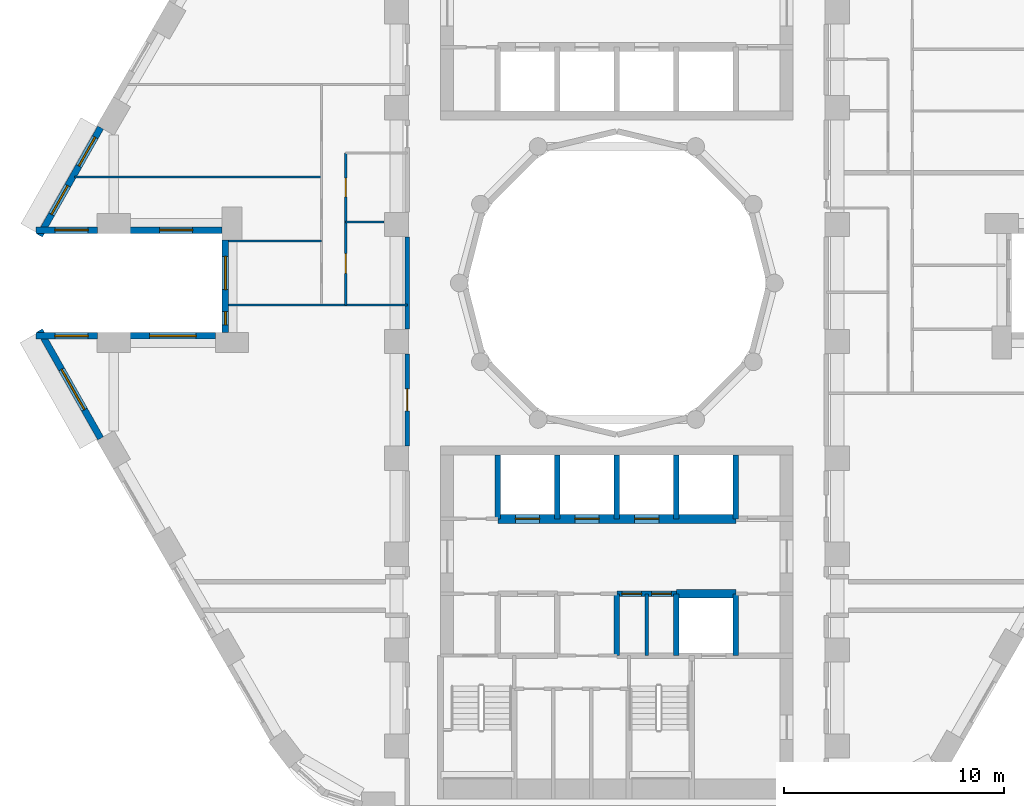
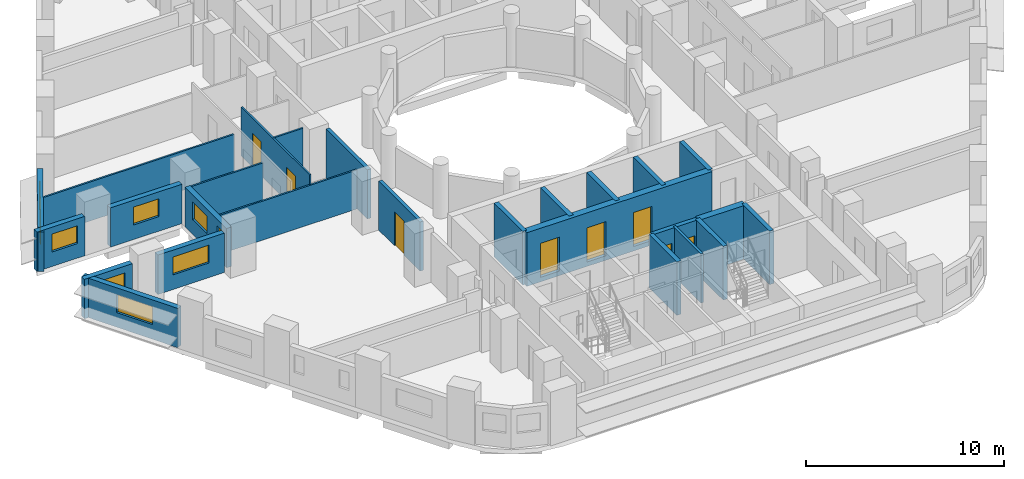
# One storey, part 4 of 13: 26 walls, 9 windows, 8 doors, 17 openings.
"""IFC4 building model written with IfcOpenShell, lengths in metres."""

from ifc_helpers import new_model, si_unit, direction, frame, frame_2d, origin, place, context, subcontext, project, spatial, rectangle, extrude, material, layer, layer_set, type_object, element, fill, save


model = new_model("IFC4")

# Units and contexts
model_context = context("Model", 3, precision=1e-05, world=origin(), true_north=direction((0.0, 1.0)))
body_context = subcontext(model_context, "Body", "Model", "MODEL_VIEW")
ifc_project = project(units=[si_unit("LENGTHUNIT", "METRE"), si_unit("AREAUNIT", "SQUARE_METRE"), si_unit("VOLUMEUNIT", "CUBIC_METRE"), si_unit("PLANEANGLEUNIT", "RADIAN"), si_unit("MASSUNIT", "GRAM", prefix="KILO")], contexts=[model_context])

# Site, building, storey
site_placement = place(None, origin())
site = spatial("IfcSite", under=ifc_project, at=site_placement, CompositionType="ELEMENT")
building_placement = place(site_placement, origin())
building = spatial("IfcBuilding", under=site, at=building_placement, Name="Nakaniwa Court", CompositionType="ELEMENT")
storey_placement = place(building_placement, frame((0.0, 0.0, 61.199951171875)))
storey = spatial("IfcBuildingStorey", under=building, at=storey_placement, Name="L16", CompositionType="ELEMENT", Elevation=61.199951171875)

# Wall, opening, door
ifc_material_1 = material(Name="Acoustic double stud partition")
ifc_layer_1 = layer(ifc_material_1, 0.199951171875)
ifc_layer_set_1 = layer_set([ifc_layer_1], Name="Acoustic double stud partition")
wall_type_1 = type_object("IfcWallType", Name="Acoustic double stud partition 200", PredefinedType="PARTITIONING", material=ifc_layer_set_1)
wall_1_placement = place(storey_placement, frame((70.5, 72.616943359375, 0.0), z_axis=(0.0, 0.0, 1.0), x_axis=(0.0, 1.0, 0.0)))
wall_1 = element("IfcWall", 1, at=wall_1_placement, inside=storey, type_object=wall_type_1, Name="Partition PW-105", PredefinedType="PARTITIONING", context=body_context, shape_type="SweptSolid", body=[
    extrude(rectangle(XDim=4.166015625, YDim=0.199951171875, at=frame_2d((2.0830078125, 0.0))), origin(), (0.0, 0.0, 1.0), 3.025146484375),
])
opening_1_placement = place(wall_1_placement, frame((1.5830078125, 0.0, 0.0)))
opening_1 = element("IfcOpeningElement", 2, at=opening_1_placement, cuts=wall_1, Name="Opening D-02-05", PredefinedType="OPENING", context=body_context, shape_type="SweptSolid", body=[
    extrude(rectangle(XDim=1.0, YDim=2.10009765625, at=frame_2d((0.5, 1.050048828125))), frame((0.0, 0.10986328125, 0.0), z_axis=(0.0, -1.0, 0.0), x_axis=(1.0, 0.0, 0.0)), (0.0, 0.0, 1.0), 0.219970703125),
])
ifc_material_2 = material(Name="Solid core timber door set, black veneer", Category="wood")
door_type_1 = type_object("IfcDoorType", Name="Internal door 1000", OperationType="NOTDEFINED", PredefinedType="DOOR", material=ifc_material_2)
door_1_placement = place(opening_1_placement, origin())
door_1 = element("IfcDoor", 3, at=door_1_placement, inside=storey, type_object=door_type_1, Name="Door D-02-05 L16-045", OperationType="SINGLE_SWING_RIGHT", OverallHeight=2.10009765625, OverallWidth=1.0, PredefinedType="DOOR", context=body_context, shape_type="SweptSolid", body=[
    extrude(rectangle(XDim=1.0, YDim=2.10009765625, at=frame_2d((0.5, 1.050048828125))), frame((0.0, 0.02490234375, 0.0), z_axis=(0.0, -1.0, 0.0), x_axis=(1.0, 0.0, 0.0)), (0.0, 0.0, 1.0), 0.050048828125),
])
fill(opening_1, door_1)

# Wall
wall_2_placement = place(storey_placement, frame((70.5, 77.9169921875, 0.0), z_axis=(0.0, 0.0, 1.0), x_axis=(0.0, 1.0, 0.0)))
element("IfcWall", 4, at=wall_2_placement, inside=storey, type_object=wall_type_1, Name="Partition PW-106", PredefinedType="PARTITIONING", context=body_context, shape_type="SweptSolid", body=[
    extrude(rectangle(XDim=4.166015625, YDim=0.199951171875, at=frame_2d((2.0830078125, 0.0))), origin(), (0.0, 0.0, 1.0), 3.025146484375),
])

# Wall, openings, windows
ifc_material_3 = material(Name="Charcoal ceramic cladding")
ifc_layer_2 = layer(ifc_material_3, 0.02, Name="Ceramic cladding")
ifc_material_4 = material(Name="Ventilated air cavity")
ifc_layer_3 = layer(ifc_material_4, 0.04, ventilated=True, Name="Ventilated cavity")
ifc_material_5 = material(Name="Mineral wool insulation")
ifc_layer_4 = layer(ifc_material_5, 0.1, Name="Insulation")
ifc_material_6 = material(Name="Cement bonded sheathing board")
ifc_layer_5 = layer(ifc_material_6, 0.012, Name="Sheathing")
ifc_material_7 = material(Name="Cold-formed galvanised stud frame with mineral wool infill")
ifc_layer_6 = layer(ifc_material_7, 0.1, Name="Stud frame")
ifc_material_8 = material(Name="Fire-rated gypsum plasterboard lining")
ifc_layer_7 = layer(ifc_material_8, 0.028, Name="Lining")
ifc_layer_set_2 = layer_set([ifc_layer_2, ifc_layer_3, ifc_layer_4, ifc_layer_5, ifc_layer_6, ifc_layer_7], Name="Charcoal ceramic faced external wall system")
wall_type_2 = type_object("IfcWallType", Name="Black ceramic faced external wall 300", PredefinedType="SOLIDWALL", material=ifc_layer_set_2)
wall_3_placement = place(storey_placement, frame((56.584228515625, 87.050537109375, 0.0), z_axis=(0.0, 0.0, 1.0), x_axis=(-0.492363204642, -0.870389840655, 0.0)))
wall_3 = element("IfcWall", 5, at=wall_3_placement, inside=storey, type_object=wall_type_2, Name="L16 external wall 14", PredefinedType="SOLIDWALL", context=body_context, shape_type="SweptSolid", body=[
    extrude(rectangle(XDim=5.62646484375, YDim=0.300048828125, at=frame_2d((2.813232421875, 0.0))), origin(), (0.0, 0.0, 1.0), 2.425048828125),
])
opening_2_placement = place(wall_3_placement, frame((0.50390625, 0.0, 0.89990234375)))
opening_2 = element("IfcOpeningElement", 6, at=opening_2_placement, cuts=wall_3, Name="Opening W5.14", PredefinedType="OPENING", context=body_context, shape_type="SweptSolid", body=[
    extrude(rectangle(XDim=1.5, YDim=1.10009765625, at=frame_2d((0.75, 0.550048828125))), frame((0.0, 0.159912109375, 0.0), z_axis=(0.0, -1.0, 0.0), x_axis=(1.0, 0.0, 0.0)), (0.0, 0.0, 1.0), 0.320068359375),
])
opening_3_placement = place(wall_3_placement, frame((3.0283203125, 0.0, 0.89990234375)))
opening_3 = element("IfcOpeningElement", 7, at=opening_3_placement, cuts=wall_3, Name="Opening W5.15", PredefinedType="OPENING", context=body_context, shape_type="SweptSolid", body=[
    extrude(rectangle(XDim=1.5, YDim=1.10009765625, at=frame_2d((0.75, 0.550048828125))), frame((0.0, 0.159912109375, 0.0), z_axis=(0.0, -1.0, 0.0), x_axis=(1.0, 0.0, 0.0)), (0.0, 0.0, 1.0), 0.320068359375),
])
ifc_material_9 = material(Name="Black anodised aluminium frame with dark low-E laminated double glazing", Category="aluminium")
window_type_1 = type_object("IfcWindowType", Name="Dark glass window 1500x1100 sill 900", PartitioningType="SINGLE_PANEL", PredefinedType="WINDOW", material=ifc_material_9)
window_1_placement = place(opening_2_placement, origin())
window_1 = element("IfcWindow", 8, at=window_1_placement, inside=storey, type_object=window_type_1, Name="L16 living window 14-0", OverallHeight=1.10009765625, OverallWidth=1.5, PartitioningType="SINGLE_PANEL", PredefinedType="WINDOW", context=body_context, shape_type="SweptSolid", body=[
    extrude(rectangle(XDim=1.5, YDim=1.10009765625, at=frame_2d((0.75, 0.550048828125))), frame((0.0, 0.030029296875, 0.0), z_axis=(0.0, -1.0, 0.0), x_axis=(1.0, 0.0, 0.0)), (0.0, 0.0, 1.0), 0.06005859375),
])
fill(opening_2, window_1)
window_2_placement = place(opening_3_placement, origin())
window_2 = element("IfcWindow", 9, at=window_2_placement, inside=storey, type_object=window_type_1, Name="L16 bedroom window 14-1", OverallHeight=1.10009765625, OverallWidth=1.5, PartitioningType="SINGLE_PANEL", PredefinedType="WINDOW", context=body_context, shape_type="SweptSolid", body=[
    extrude(rectangle(XDim=1.5, YDim=1.10009765625, at=frame_2d((0.75, 0.550048828125))), frame((0.0, 0.030029296875, 0.0), z_axis=(0.0, -1.0, 0.0), x_axis=(1.0, 0.0, 0.0)), (0.0, 0.0, 1.0), 0.06005859375),
])
fill(opening_3, window_2)

# Wall, opening, window
wall_4_placement = place(storey_placement, frame((53.643310546875, 82.39990234375, 0.0), z_axis=(0.0, 0.0, 1.0), x_axis=(1.0, 0.0, 0.0)))
wall_4 = element("IfcWall", 10, at=wall_4_placement, inside=storey, type_object=wall_type_2, Name="L16 external wall 15", PredefinedType="SOLIDWALL", context=body_context, shape_type="SweptSolid", body=[
    extrude(rectangle(XDim=2.787841796875, YDim=0.300048828125, at=frame_2d((1.39404296875, 0.0))), origin(), (0.0, 0.0, 1.0), 2.425048828125),
])
opening_4_placement = place(wall_4_placement, frame((0.868896484375, 0.0, 0.89990234375)))
opening_4 = element("IfcOpeningElement", 11, at=opening_4_placement, cuts=wall_4, Name="Opening W5.16", PredefinedType="OPENING", context=body_context, shape_type="SweptSolid", body=[
    extrude(rectangle(XDim=1.5, YDim=1.10009765625, at=frame_2d((0.75, 0.550048828125))), frame((0.0, 0.159912109375, 0.0), z_axis=(0.0, -1.0, 0.0), x_axis=(1.0, 0.0, 0.0)), (0.0, 0.0, 1.0), 0.320068359375),
])
window_3_placement = place(opening_4_placement, origin())
window_3 = element("IfcWindow", 12, at=window_3_placement, inside=storey, type_object=window_type_1, Name="L16 bedroom window 15-0", OverallHeight=1.10009765625, OverallWidth=1.5, PartitioningType="SINGLE_PANEL", PredefinedType="WINDOW", context=body_context, shape_type="SweptSolid", body=[
    extrude(rectangle(XDim=1.5, YDim=1.10009765625, at=frame_2d((0.75, 0.550048828125))), frame((0.0, 0.030029296875, 0.0), z_axis=(0.0, -1.0, 0.0), x_axis=(1.0, 0.0, 0.0)), (0.0, 0.0, 1.0), 0.06005859375),
])
fill(opening_4, window_3)

wall_5_placement = place(storey_placement, frame((57.923095703125, 82.39990234375, 0.0), z_axis=(0.0, 0.0, 1.0), x_axis=(1.0, 0.0, 0.0)))
wall_5 = element("IfcWall", 13, at=wall_5_placement, inside=storey, type_object=wall_type_2, Name="L16 external wall 16", PredefinedType="SOLIDWALL", context=body_context, shape_type="SweptSolid", body=[
    extrude(rectangle(XDim=4.172607421875, YDim=0.300048828125, at=frame_2d((2.08642578125, 0.0))), origin(), (0.0, 0.0, 1.0), 2.425048828125),
])
opening_5_placement = place(wall_5_placement, frame((1.336181640625, 0.0, 0.89990234375)))
opening_5 = element("IfcOpeningElement", 14, at=opening_5_placement, cuts=wall_5, Name="Opening W5.17", PredefinedType="OPENING", context=body_context, shape_type="SweptSolid", body=[
    extrude(rectangle(XDim=1.5, YDim=1.10009765625, at=frame_2d((0.75, 0.550048828125))), frame((0.0, 0.159912109375, 0.0), z_axis=(0.0, -1.0, 0.0), x_axis=(1.0, 0.0, 0.0)), (0.0, 0.0, 1.0), 0.320068359375),
])
window_4_placement = place(opening_5_placement, origin())
window_4 = element("IfcWindow", 15, at=window_4_placement, inside=storey, type_object=window_type_1, Name="L16 bedroom window 16-0", OverallHeight=1.10009765625, OverallWidth=1.5, PartitioningType="SINGLE_PANEL", PredefinedType="WINDOW", context=body_context, shape_type="SweptSolid", body=[
    extrude(rectangle(XDim=1.5, YDim=1.10009765625, at=frame_2d((0.75, 0.550048828125))), frame((0.0, 0.030029296875, 0.0), z_axis=(0.0, -1.0, 0.0), x_axis=(1.0, 0.0, 0.0)), (0.0, 0.0, 1.0), 0.06005859375),
])
fill(opening_5, window_4)

# Wall, openings, windows
wall_6_placement = place(storey_placement, frame((62.24169921875, 81.9541015625, 0.0), z_axis=(0.0, 0.0, 1.0), x_axis=(0.0, -1.0, 0.0)))
wall_6 = element("IfcWall", 16, at=wall_6_placement, inside=storey, type_object=wall_type_2, Name="L16 external wall 17", PredefinedType="SOLIDWALL", context=body_context, shape_type="SweptSolid", body=[
    extrude(rectangle(XDim=4.2080078125, YDim=0.300048828125, at=frame_2d((2.10400390625, 0.0))), origin(), (0.0, 0.0, 1.0), 2.425048828125),
])
opening_6_placement = place(wall_6_placement, frame((0.75244140625, 0.0, 0.89990234375)))
opening_6 = element("IfcOpeningElement", 17, at=opening_6_placement, cuts=wall_6, Name="Opening W5.18", PredefinedType="OPENING", context=body_context, shape_type="SweptSolid", body=[
    extrude(rectangle(XDim=1.5, YDim=1.10009765625, at=frame_2d((0.75, 0.550048828125))), frame((0.0, 0.159912109375, 0.0), z_axis=(0.0, -1.0, 0.0), x_axis=(1.0, 0.0, 0.0)), (0.0, 0.0, 1.0), 0.320068359375),
])
opening_7_placement = place(wall_6_placement, frame((3.256103515625, 0.0, 0.89990234375)))
opening_7 = element("IfcOpeningElement", 18, at=opening_7_placement, cuts=wall_6, Name="Opening W8.19", PredefinedType="OPENING", context=body_context, shape_type="SweptSolid", body=[
    extrude(rectangle(XDim=0.60009765625, YDim=1.10009765625, at=frame_2d((0.300048828125, 0.550048828125))), frame((0.0, 0.159912109375, 0.0), z_axis=(0.0, -1.0, 0.0), x_axis=(1.0, 0.0, 0.0)), (0.0, 0.0, 1.0), 0.320068359375),
])
window_5_placement = place(opening_6_placement, origin())
window_5 = element("IfcWindow", 19, at=window_5_placement, inside=storey, type_object=window_type_1, Name="L16 bedroom window 17-0", OverallHeight=1.10009765625, OverallWidth=1.5, PartitioningType="SINGLE_PANEL", PredefinedType="WINDOW", context=body_context, shape_type="SweptSolid", body=[
    extrude(rectangle(XDim=1.5, YDim=1.10009765625, at=frame_2d((0.75, 0.550048828125))), frame((0.0, 0.030029296875, 0.0), z_axis=(0.0, -1.0, 0.0), x_axis=(1.0, 0.0, 0.0)), (0.0, 0.0, 1.0), 0.06005859375),
])
fill(opening_6, window_5)
window_type_2 = type_object("IfcWindowType", Name="Dark glass window 600x1100 sill 900", PartitioningType="SINGLE_PANEL", PredefinedType="WINDOW", material=ifc_material_9)
window_6_placement = place(opening_7_placement, origin())
window_6 = element("IfcWindow", 20, at=window_6_placement, inside=storey, type_object=window_type_2, Name="L16 habitable room window 17-1", OverallHeight=1.10009765625, OverallWidth=0.60009765625, PartitioningType="SINGLE_PANEL", PredefinedType="WINDOW", context=body_context, shape_type="SweptSolid", body=[
    extrude(rectangle(XDim=0.60009765625, YDim=1.10009765625, at=frame_2d((0.300048828125, 0.550048828125))), frame((0.0, 0.030029296875, 0.0), z_axis=(0.0, -1.0, 0.0), x_axis=(1.0, 0.0, 0.0)), (0.0, 0.0, 1.0), 0.06005859375),
])
fill(opening_7, window_6)

# Wall, opening, window
wall_7_placement = place(storey_placement, frame((61.795654296875, 77.60009765625, 0.0), z_axis=(0.0, 0.0, 1.0), x_axis=(-1.0, 0.0, 0.0)))
wall_7 = element("IfcWall", 21, at=wall_7_placement, inside=storey, type_object=wall_type_2, Name="L16 external wall 18", PredefinedType="SOLIDWALL", context=body_context, shape_type="SweptSolid", body=[
    extrude(rectangle(XDim=3.87255859375, YDim=0.300048828125, at=frame_2d((1.936279296875, 0.0))), origin(), (0.0, 0.0, 1.0), 2.425048828125),
])
opening_8_placement = place(wall_7_placement, frame((0.88623046875, 0.0, 0.89990234375)))
opening_8 = element("IfcOpeningElement", 22, at=opening_8_placement, cuts=wall_7, Name="Opening W7.20", PredefinedType="OPENING", context=body_context, shape_type="SweptSolid", body=[
    extrude(rectangle(XDim=2.10009765625, YDim=1.10009765625, at=frame_2d((1.050048828125, 0.550048828125))), frame((0.0, 0.159912109375, 0.0), z_axis=(0.0, -1.0, 0.0), x_axis=(1.0, 0.0, 0.0)), (0.0, 0.0, 1.0), 0.320068359375),
])
window_type_3 = type_object("IfcWindowType", Name="Dark glass window 2100x1100 sill 900", PartitioningType="SINGLE_PANEL", PredefinedType="WINDOW", material=ifc_material_9)
window_7_placement = place(opening_8_placement, origin())
window_7 = element("IfcWindow", 23, at=window_7_placement, inside=storey, type_object=window_type_3, Name="L16 habitable room window 18-0", OverallHeight=1.10009765625, OverallWidth=2.10009765625, PartitioningType="SINGLE_PANEL", PredefinedType="WINDOW", context=body_context, shape_type="SweptSolid", body=[
    extrude(rectangle(XDim=2.10009765625, YDim=1.10009765625, at=frame_2d((1.050048828125, 0.550048828125))), frame((0.0, 0.030029296875, 0.0), z_axis=(0.0, -1.0, 0.0), x_axis=(1.0, 0.0, 0.0)), (0.0, 0.0, 1.0), 0.06005859375),
])
fill(opening_8, window_7)

wall_8_placement = place(storey_placement, frame((56.43115234375, 77.60009765625, 0.0), z_axis=(0.0, 0.0, 1.0), x_axis=(-1.0, 0.0, 0.0)))
wall_8 = element("IfcWall", 24, at=wall_8_placement, inside=storey, type_object=wall_type_2, Name="L16 external wall 19", PredefinedType="SOLIDWALL", context=body_context, shape_type="SweptSolid", body=[
    extrude(rectangle(XDim=2.787841796875, YDim=0.300048828125, at=frame_2d((1.39404296875, 0.0))), origin(), (0.0, 0.0, 1.0), 2.425048828125),
])
opening_9_placement = place(wall_8_placement, frame((0.4189453125, 0.0, 0.89990234375)))
opening_9 = element("IfcOpeningElement", 25, at=opening_9_placement, cuts=wall_8, Name="Opening W5.21", PredefinedType="OPENING", context=body_context, shape_type="SweptSolid", body=[
    extrude(rectangle(XDim=1.5, YDim=1.10009765625, at=frame_2d((0.75, 0.550048828125))), frame((0.0, 0.159912109375, 0.0), z_axis=(0.0, -1.0, 0.0), x_axis=(1.0, 0.0, 0.0)), (0.0, 0.0, 1.0), 0.320068359375),
])
window_8_placement = place(opening_9_placement, origin())
window_8 = element("IfcWindow", 26, at=window_8_placement, inside=storey, type_object=window_type_1, Name="L16 habitable room window 19-0", OverallHeight=1.10009765625, OverallWidth=1.5, PartitioningType="SINGLE_PANEL", PredefinedType="WINDOW", context=body_context, shape_type="SweptSolid", body=[
    extrude(rectangle(XDim=1.5, YDim=1.10009765625, at=frame_2d((0.75, 0.550048828125))), frame((0.0, 0.030029296875, 0.0), z_axis=(0.0, -1.0, 0.0), x_axis=(1.0, 0.0, 0.0)), (0.0, 0.0, 1.0), 0.06005859375),
])
fill(opening_9, window_8)

wall_9_placement = place(storey_placement, frame((53.81396484375, 77.8466796875, 0.0), z_axis=(0.0, 0.0, 1.0), x_axis=(0.492363204642, -0.870389840655, 0.0)))
wall_9 = element("IfcWall", 27, at=wall_9_placement, inside=storey, type_object=wall_type_2, Name="L16 external wall 20", PredefinedType="SOLIDWALL", context=body_context, shape_type="SweptSolid", body=[
    extrude(rectangle(XDim=5.62646484375, YDim=0.300048828125, at=frame_2d((2.813232421875, 0.0))), origin(), (0.0, 0.0, 1.0), 2.425048828125),
])
opening_10_placement = place(wall_9_placement, frame((2.0263671875, 0.0, 0.89990234375)))
opening_10 = element("IfcOpeningElement", 28, at=opening_10_placement, cuts=wall_9, Name="Opening W7.22", PredefinedType="OPENING", context=body_context, shape_type="SweptSolid", body=[
    extrude(rectangle(XDim=2.10009765625, YDim=1.10009765625, at=frame_2d((1.050048828125, 0.550048828125))), frame((0.0, 0.159912109375, 0.0), z_axis=(0.0, -1.0, 0.0), x_axis=(1.0, 0.0, 0.0)), (0.0, 0.0, 1.0), 0.320068359375),
])
window_9_placement = place(opening_10_placement, origin())
window_9 = element("IfcWindow", 29, at=window_9_placement, inside=storey, type_object=window_type_3, Name="L16 habitable room window 20-0", OverallHeight=1.10009765625, OverallWidth=2.10009765625, PartitioningType="SINGLE_PANEL", PredefinedType="WINDOW", context=body_context, shape_type="SweptSolid", body=[
    extrude(rectangle(XDim=2.10009765625, YDim=1.10009765625, at=frame_2d((1.050048828125, 0.550048828125))), frame((0.0, 0.030029296875, 0.0), z_axis=(0.0, -1.0, 0.0), x_axis=(1.0, 0.0, 0.0)), (0.0, 0.0, 1.0), 0.06005859375),
])
fill(opening_10, window_9)

# Wall
ifc_material_10 = material(Name="Blockwork partition", Category="masonry")
ifc_layer_8 = layer(ifc_material_10, 0.14990234375)
ifc_layer_set_3 = layer_set([ifc_layer_8], Name="Blockwork partition")
wall_type_3 = type_object("IfcWallType", Name="Blockwork partition 150", PredefinedType="PARTITIONING", material=ifc_layer_set_3)
wall_10_placement = place(storey_placement, frame((81.35009765625, 63.10009765625, 0.0), z_axis=(0.0, 0.0, 1.0), x_axis=(0.0, 1.0, 0.0)))
element("IfcWall", 30, at=wall_10_placement, inside=storey, type_object=wall_type_3, Name="Partition PW-061", PredefinedType="PARTITIONING", context=body_context, shape_type="SweptSolid", body=[
    extrude(rectangle(XDim=2.7998046875, YDim=0.14990234375, at=frame_2d((1.39990234375, 0.0))), origin(), (0.0, 0.0, 1.0), 3.025146484375),
])

# Wall, openings, doors
ifc_material_11 = material(Name="Concrete C100/115", Category="concrete")
ifc_layer_9 = layer(ifc_material_11, 0.39990234375)
ifc_layer_set_4 = layer_set([ifc_layer_9], Name="Concrete C100/115")
wall_type_4 = type_object("IfcWallType", Name="Concrete core spine wall 400 C100", PredefinedType="SHEAR", material=ifc_layer_set_4)
wall_11_placement = place(storey_placement, frame((74.60009765625, 69.300048828125, -0.27490234375), z_axis=(0.0, 0.0, 1.0), x_axis=(1.0, 0.0, 0.0)))
wall_11 = element("IfcWall", 31, at=wall_11_placement, inside=storey, type_object=wall_type_4, Name="Core wall SW-42", PredefinedType="SHEAR", context=body_context, shape_type="SweptSolid", body=[
    extrude(rectangle(XDim=10.7998046875, YDim=0.39990234375, at=frame_2d((5.39990234375, 0.0))), origin(), (0.0, 0.0, 1.0), 3.300048828125),
])
opening_11_placement = place(wall_11_placement, frame((0.800048828125, 0.0, 0.27490234375)))
opening_11 = element("IfcOpeningElement", 32, at=opening_11_placement, cuts=wall_11, Name="Opening LD05", PredefinedType="OPENING", context=body_context, shape_type="SweptSolid", body=[
    extrude(rectangle(XDim=1.10009765625, YDim=2.10009765625, at=frame_2d((0.550048828125, 1.050048828125))), frame((0.0, 0.2099609375, 0.0), z_axis=(0.0, -1.0, 0.0), x_axis=(1.0, 0.0, 0.0)), (0.0, 0.0, 1.0), 0.419921875),
])
opening_12_placement = place(wall_11_placement, frame((3.5, 0.0, 0.27490234375)))
opening_12 = element("IfcOpeningElement", 33, at=opening_12_placement, cuts=wall_11, Name="Opening LD06", PredefinedType="OPENING", context=body_context, shape_type="SweptSolid", body=[
    extrude(rectangle(XDim=1.10009765625, YDim=2.10009765625, at=frame_2d((0.550048828125, 1.050048828125))), frame((0.0, 0.2099609375, 0.0), z_axis=(0.0, -1.0, 0.0), x_axis=(1.0, 0.0, 0.0)), (0.0, 0.0, 1.0), 0.419921875),
])
opening_13_placement = place(wall_11_placement, frame((6.199951171875, 0.0, 0.27490234375)))
opening_13 = element("IfcOpeningElement", 34, at=opening_13_placement, cuts=wall_11, Name="Opening LD07", PredefinedType="OPENING", context=body_context, shape_type="SweptSolid", body=[
    extrude(rectangle(XDim=1.10009765625, YDim=2.10009765625, at=frame_2d((0.550048828125, 1.050048828125))), frame((0.0, 0.2099609375, 0.0), z_axis=(0.0, -1.0, 0.0), x_axis=(1.0, 0.0, 0.0)), (0.0, 0.0, 1.0), 0.419921875),
])
ifc_material_12 = material(Name="Stainless steel sliding lift landing door", Category="steel")
door_type_2 = type_object("IfcDoorType", Name="Lift landing door 1100", OperationType="NOTDEFINED", PredefinedType="DOOR", material=ifc_material_12)
door_2_placement = place(opening_11_placement, origin())
door_2 = element("IfcDoor", 35, at=door_2_placement, inside=storey, type_object=door_type_2, Name="Lift landing door LD05 L16-005", OperationType="SLIDING_TO_LEFT", OverallHeight=2.10009765625, OverallWidth=1.10009765625, PredefinedType="DOOR", context=body_context, shape_type="SweptSolid", body=[
    extrude(rectangle(XDim=1.10009765625, YDim=2.10009765625, at=frame_2d((0.550048828125, 1.050048828125))), frame((0.0, 0.02490234375, 0.0), z_axis=(0.0, -1.0, 0.0), x_axis=(1.0, 0.0, 0.0)), (0.0, 0.0, 1.0), 0.050048828125),
])
fill(opening_11, door_2)
door_3_placement = place(opening_12_placement, origin())
door_3 = element("IfcDoor", 36, at=door_3_placement, inside=storey, type_object=door_type_2, Name="Lift landing door LD06 L16-006", OperationType="SLIDING_TO_LEFT", OverallHeight=2.10009765625, OverallWidth=1.10009765625, PredefinedType="DOOR", context=body_context, shape_type="SweptSolid", body=[
    extrude(rectangle(XDim=1.10009765625, YDim=2.10009765625, at=frame_2d((0.550048828125, 1.050048828125))), frame((0.0, 0.02490234375, 0.0), z_axis=(0.0, -1.0, 0.0), x_axis=(1.0, 0.0, 0.0)), (0.0, 0.0, 1.0), 0.050048828125),
])
fill(opening_12, door_3)
door_4_placement = place(opening_13_placement, origin())
door_4 = element("IfcDoor", 37, at=door_4_placement, inside=storey, type_object=door_type_2, Name="Lift landing door LD07 L16-007", OperationType="SLIDING_TO_LEFT", OverallHeight=2.10009765625, OverallWidth=1.10009765625, PredefinedType="DOOR", context=body_context, shape_type="SweptSolid", body=[
    extrude(rectangle(XDim=1.10009765625, YDim=2.10009765625, at=frame_2d((0.550048828125, 1.050048828125))), frame((0.0, 0.02490234375, 0.0), z_axis=(0.0, -1.0, 0.0), x_axis=(1.0, 0.0, 0.0)), (0.0, 0.0, 1.0), 0.050048828125),
])
fill(opening_13, door_4)

# Walls
wall_12_placement = place(storey_placement, frame((82.697021484375, 65.89990234375, -0.27490234375), z_axis=(0.0, 0.0, 1.0), x_axis=(1.0, 0.0, 0.0)))
element("IfcWall", 38, at=wall_12_placement, inside=storey, type_object=wall_type_4, Name="Core wall SW-56", PredefinedType="SHEAR", context=body_context, shape_type="SweptSolid", body=[
    extrude(rectangle(XDim=2.7060546875, YDim=0.39990234375, at=frame_2d((1.35302734375, 0.0))), origin(), (0.0, 0.0, 1.0), 3.300048828125),
])
ifc_layer_10 = layer(ifc_material_11, 0.25)
ifc_layer_set_5 = layer_set([ifc_layer_10], Name="Concrete C100/115")
wall_type_5 = type_object("IfcWallType", Name="Concrete shaft wall 250 C100", PredefinedType="SHEAR", material=ifc_layer_set_5)
for number, where, z_axis, x_axis, name in (
    (39, (74.60009765625, 69.300048828125, -0.27490234375), (0.0, 0.0, 1.0), (0.0, 1.0, 0.0), "Core wall SW-37"),
    (40, (77.300048828125, 69.300048828125, -0.27490234375), (0.0, 0.0, 1.0), (0.0, 1.0, 0.0), "Core wall SW-41"),
):
    element("IfcWall", number, at=place(storey_placement, frame(where, z_axis=z_axis, x_axis=x_axis)), inside=storey, type_object=wall_type_5, Name=name, PredefinedType="SHEAR", context=body_context, shape_type="SweptSolid", body=[
        extrude(rectangle(XDim=2.89990234375, YDim=0.25, at=frame_2d((1.449951171875, 0.0))), origin(), (0.0, 0.0, 1.0), 3.300048828125),
    ])
wall_13_placement = place(storey_placement, frame((80.0, 63.10009765625, -0.27490234375), z_axis=(0.0, 0.0, 1.0), x_axis=(0.0, 1.0, 0.0)))
element("IfcWall", 41, at=wall_13_placement, inside=storey, type_object=wall_type_5, Name="Core wall SW-43", PredefinedType="SHEAR", context=body_context, shape_type="SweptSolid", body=[
    extrude(rectangle(XDim=2.7998046875, YDim=0.25, at=frame_2d((1.39990234375, 0.0))), origin(), (0.0, 0.0, 1.0), 3.300048828125),
])
wall_14_placement = place(storey_placement, frame((80.0, 69.300048828125, -0.27490234375), z_axis=(0.0, 0.0, 1.0), x_axis=(0.0, 1.0, 0.0)))
element("IfcWall", 42, at=wall_14_placement, inside=storey, type_object=wall_type_5, Name="Core wall SW-44", PredefinedType="SHEAR", context=body_context, shape_type="SweptSolid", body=[
    extrude(rectangle(XDim=2.89990234375, YDim=0.25, at=frame_2d((1.449951171875, 0.0))), origin(), (0.0, 0.0, 1.0), 3.300048828125),
])
wall_15_placement = place(storey_placement, frame((82.699951171875, 63.10009765625, -0.27490234375), z_axis=(0.0, 0.0, 1.0), x_axis=(0.0, 1.0, 0.0)))
element("IfcWall", 43, at=wall_15_placement, inside=storey, type_object=wall_type_5, Name="Core wall SW-45", PredefinedType="SHEAR", context=body_context, shape_type="SweptSolid", body=[
    extrude(rectangle(XDim=2.7998046875, YDim=0.25, at=frame_2d((1.39990234375, 0.0))), origin(), (0.0, 0.0, 1.0), 3.300048828125),
])
wall_16_placement = place(storey_placement, frame((82.699951171875, 69.300048828125, -0.27490234375), z_axis=(0.0, 0.0, 1.0), x_axis=(0.0, 1.0, 0.0)))
element("IfcWall", 44, at=wall_16_placement, inside=storey, type_object=wall_type_5, Name="Core wall SW-46", PredefinedType="SHEAR", context=body_context, shape_type="SweptSolid", body=[
    extrude(rectangle(XDim=2.89990234375, YDim=0.25, at=frame_2d((1.449951171875, 0.0))), origin(), (0.0, 0.0, 1.0), 3.300048828125),
])
wall_17_placement = place(storey_placement, frame((85.39990234375, 63.10009765625, -0.27490234375), z_axis=(0.0, 0.0, 1.0), x_axis=(0.0, 1.0, 0.0)))
element("IfcWall", 45, at=wall_17_placement, inside=storey, type_object=wall_type_5, Name="Core wall SW-47", PredefinedType="SHEAR", context=body_context, shape_type="SweptSolid", body=[
    extrude(rectangle(XDim=2.7998046875, YDim=0.25, at=frame_2d((1.39990234375, 0.0))), origin(), (0.0, 0.0, 1.0), 3.300048828125),
])
wall_18_placement = place(storey_placement, frame((85.39990234375, 69.300048828125, -0.27490234375), z_axis=(0.0, 0.0, 1.0), x_axis=(0.0, 1.0, 0.0)))
element("IfcWall", 46, at=wall_18_placement, inside=storey, type_object=wall_type_5, Name="Core wall SW-48", PredefinedType="SHEAR", context=body_context, shape_type="SweptSolid", body=[
    extrude(rectangle(XDim=2.89990234375, YDim=0.25, at=frame_2d((1.449951171875, 0.0))), origin(), (0.0, 0.0, 1.0), 3.300048828125),
])

# Wall, openings, doors
wall_19_placement = place(storey_placement, frame((82.702880859375, 65.89990234375, -0.27490234375), z_axis=(0.0, 0.0, 1.0), x_axis=(-1.0, 0.0, 0.0)))
wall_19 = element("IfcWall", 47, at=wall_19_placement, inside=storey, type_object=wall_type_5, Name="Core wall SW-55", PredefinedType="SHEAR", context=body_context, shape_type="SweptSolid", body=[
    extrude(rectangle(XDim=2.705810546875, YDim=0.25, at=frame_2d((1.35302734375, 0.0))), origin(), (0.0, 0.0, 1.0), 3.300048828125),
])
opening_14_placement = place(wall_19_placement, frame((1.577880859375, 0.0, 0.27490234375)))
opening_14 = element("IfcOpeningElement", 48, at=opening_14_placement, cuts=wall_19, Name="Opening D-05-13", PredefinedType="OPENING", context=body_context, shape_type="SweptSolid", body=[
    extrude(rectangle(XDim=0.89990234375, YDim=2.10009765625, at=frame_2d((0.449951171875, 1.050048828125))), frame((0.0, 0.135009765625, 0.0), z_axis=(0.0, -1.0, 0.0), x_axis=(1.0, 0.0, 0.0)), (0.0, 0.0, 1.0), 0.27001953125),
])
opening_15_placement = place(wall_19_placement, frame((0.22802734375, 0.0, 0.27490234375)))
opening_15 = element("IfcOpeningElement", 49, at=opening_15_placement, cuts=wall_19, Name="Opening D-05-14", PredefinedType="OPENING", context=body_context, shape_type="SweptSolid", body=[
    extrude(rectangle(XDim=0.89990234375, YDim=2.10009765625, at=frame_2d((0.449951171875, 1.050048828125))), frame((0.0, 0.135009765625, 0.0), z_axis=(0.0, -1.0, 0.0), x_axis=(1.0, 0.0, 0.0)), (0.0, 0.0, 1.0), 0.27001953125),
])
ifc_material_13 = material(Name="Fire rated steel door set", Category="steel")
door_type_3 = type_object("IfcDoorType", Name="Service room door 900", OperationType="NOTDEFINED", PredefinedType="DOOR", material=ifc_material_13)
door_5_placement = place(opening_14_placement, origin())
door_5 = element("IfcDoor", 50, at=door_5_placement, inside=storey, type_object=door_type_3, Name="Door D-05-13 L16-020", OperationType="SINGLE_SWING_LEFT", OverallHeight=2.10009765625, OverallWidth=0.89990234375, PredefinedType="DOOR", context=body_context, shape_type="SweptSolid", body=[
    extrude(rectangle(XDim=0.89990234375, YDim=2.10009765625, at=frame_2d((0.449951171875, 1.050048828125))), frame((0.0, 0.02490234375, 0.0), z_axis=(0.0, -1.0, 0.0), x_axis=(1.0, 0.0, 0.0)), (0.0, 0.0, 1.0), 0.050048828125),
])
fill(opening_14, door_5)
door_6_placement = place(opening_15_placement, origin())
door_6 = element("IfcDoor", 51, at=door_6_placement, inside=storey, type_object=door_type_3, Name="Door D-05-14 L16-021", OperationType="SINGLE_SWING_RIGHT", OverallHeight=2.10009765625, OverallWidth=0.89990234375, PredefinedType="DOOR", context=body_context, shape_type="SweptSolid", body=[
    extrude(rectangle(XDim=0.89990234375, YDim=2.10009765625, at=frame_2d((0.449951171875, 1.050048828125))), frame((0.0, 0.02490234375, 0.0), z_axis=(0.0, -1.0, 0.0), x_axis=(1.0, 0.0, 0.0)), (0.0, 0.0, 1.0), 0.050048828125),
])
fill(opening_15, door_6)

# Walls
ifc_material_14 = material(Name="Single stud plasterboard partition")
ifc_layer_11 = layer(ifc_material_14, 0.10009765625)
ifc_layer_set_6 = layer_set([ifc_layer_11], Name="Single stud plasterboard partition")
wall_type_6 = type_object("IfcWallType", Name="Single stud plasterboard partition 100", PredefinedType="PARTITIONING", material=ifc_layer_set_6)
wall_20_placement = place(storey_placement, frame((62.3916015625, 79.0, 0.0), z_axis=(0.0, 0.0, 1.0), x_axis=(1.0, 0.0, 0.0)))
element("IfcWall", 52, at=wall_20_placement, inside=storey, type_object=wall_type_6, Name="Partition PW-126", PredefinedType="PARTITIONING", context=body_context, shape_type="SweptSolid", body=[
    extrude(rectangle(XDim=8.1083984375, YDim=0.10009765625, at=frame_2d((4.05419921875, 0.0))), origin(), (0.0, 0.0, 1.0), 2.405029296875),
])
wall_21_placement = place(storey_placement, frame((67.699951171875, 82.763916015625, 0.0), z_axis=(0.0, 0.0, 1.0), x_axis=(1.0, 0.0, 0.0)))
element("IfcWall", 53, at=wall_21_placement, inside=storey, type_object=wall_type_6, Name="Partition PW-127", PredefinedType="PARTITIONING", context=body_context, shape_type="SweptSolid", body=[
    extrude(rectangle(XDim=1.72998046875, YDim=0.10009765625, at=frame_2d((0.864990234375, 0.0))), origin(), (0.0, 0.0, 1.0), 3.025146484375),
])

# Wall, openings, doors
wall_22_placement = place(storey_placement, frame((67.699951171875, 85.89990234375, 0.0), z_axis=(0.0, 0.0, 1.0), x_axis=(0.0, -1.0, 0.0)))
wall_22 = element("IfcWall", 54, at=wall_22_placement, inside=storey, type_object=wall_type_6, Name="Partition PW-128", PredefinedType="PARTITIONING", context=body_context, shape_type="SweptSolid", body=[
    extrude(rectangle(XDim=6.89990234375, YDim=0.10009765625, at=frame_2d((3.449951171875, 0.0))), origin(), (0.0, 0.0, 1.0), 3.025146484375),
])
opening_16_placement = place(wall_22_placement, frame((4.568115234375, 0.0, 0.0)))
opening_16 = element("IfcOpeningElement", 55, at=opening_16_placement, cuts=wall_22, Name="Opening D-33-09", PredefinedType="OPENING", context=body_context, shape_type="SweptSolid", body=[
    extrude(rectangle(XDim=0.89990234375, YDim=2.10009765625, at=frame_2d((0.449951171875, 1.050048828125))), frame((0.0, 0.06005859375, 0.0), z_axis=(0.0, -1.0, 0.0), x_axis=(1.0, 0.0, 0.0)), (0.0, 0.0, 1.0), 0.1201171875),
])
opening_17_placement = place(wall_22_placement, frame((1.14306640625, 0.0, 0.0)))
opening_17 = element("IfcOpeningElement", 56, at=opening_17_placement, cuts=wall_22, Name="Opening D-03-03", PredefinedType="OPENING", context=body_context, shape_type="SweptSolid", body=[
    extrude(rectangle(XDim=0.85009765625, YDim=2.10009765625, at=frame_2d((0.425048828125, 1.050048828125))), frame((0.0, 0.06005859375, 0.0), z_axis=(0.0, -1.0, 0.0), x_axis=(1.0, 0.0, 0.0)), (0.0, 0.0, 1.0), 0.1201171875),
])
ifc_material_15 = material(Name="Moisture sealed timber door set", Category="wood")
door_type_4 = type_object("IfcDoorType", Name="Bathroom door 850", OperationType="NOTDEFINED", PredefinedType="DOOR", material=ifc_material_15)
door_7_placement = place(opening_17_placement, origin())
door_7 = element("IfcDoor", 57, at=door_7_placement, inside=storey, type_object=door_type_4, Name="Door D-03-03 L16-048", OperationType="SINGLE_SWING_LEFT", OverallHeight=2.10009765625, OverallWidth=0.85009765625, PredefinedType="DOOR", context=body_context, shape_type="SweptSolid", body=[
    extrude(rectangle(XDim=0.85009765625, YDim=2.10009765625, at=frame_2d((0.425048828125, 1.050048828125))), frame((0.0, 0.02490234375, 0.0), z_axis=(0.0, -1.0, 0.0), x_axis=(1.0, 0.0, 0.0)), (0.0, 0.0, 1.0), 0.050048828125),
])
fill(opening_17, door_7)
door_type_5 = type_object("IfcDoorType", Name="Internal door 900", OperationType="NOTDEFINED", PredefinedType="DOOR", material=ifc_material_2)
door_8_placement = place(opening_16_placement, origin())
door_8 = element("IfcDoor", 58, at=door_8_placement, inside=storey, type_object=door_type_5, Name="Door D-33-09 L16-047", OperationType="SINGLE_SWING_RIGHT", OverallHeight=2.10009765625, OverallWidth=0.89990234375, PredefinedType="DOOR", context=body_context, shape_type="SweptSolid", body=[
    extrude(rectangle(XDim=0.89990234375, YDim=2.10009765625, at=frame_2d((0.449951171875, 1.050048828125))), frame((0.0, 0.02490234375, 0.0), z_axis=(0.0, -1.0, 0.0), x_axis=(1.0, 0.0, 0.0)), (0.0, 0.0, 1.0), 0.050048828125),
])
fill(opening_16, door_8)

# Walls
wall_23_placement = place(storey_placement, frame((62.3916015625, 81.903076171875, 0.0), z_axis=(0.0, 0.0, 1.0), x_axis=(1.0, 0.0, 0.0)))
element("IfcWall", 59, at=wall_23_placement, inside=storey, type_object=wall_type_6, Name="Partition PW-132", PredefinedType="PARTITIONING", context=body_context, shape_type="SweptSolid", body=[
    extrude(rectangle(XDim=4.20849609375, YDim=0.10009765625, at=frame_2d((2.104248046875, 0.0))), origin(), (0.0, 0.0, 1.0), 2.405029296875),
])
wall_24_placement = place(storey_placement, frame((55.40869140625, 84.805908203125, 0.0), z_axis=(0.0, 0.0, 1.0), x_axis=(1.0, 0.0, 0.0)))
element("IfcWall", 60, at=wall_24_placement, inside=storey, type_object=wall_type_6, Name="Partition PW-133", PredefinedType="PARTITIONING", context=body_context, shape_type="SweptSolid", body=[
    extrude(rectangle(XDim=11.19140625, YDim=0.10009765625, at=frame_2d((5.595703125, 0.0))), origin(), (0.0, 0.0, 1.0), 2.405029296875),
])

save(model, "model.ifc")
